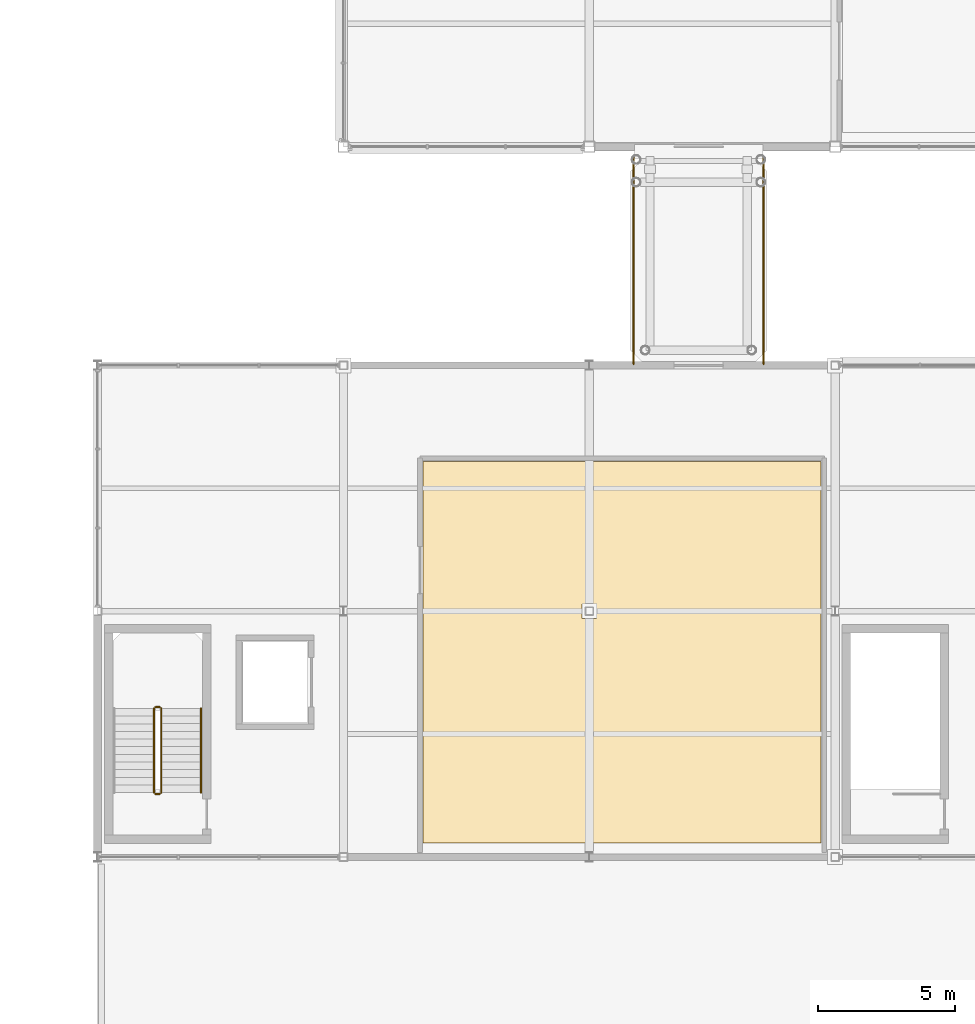
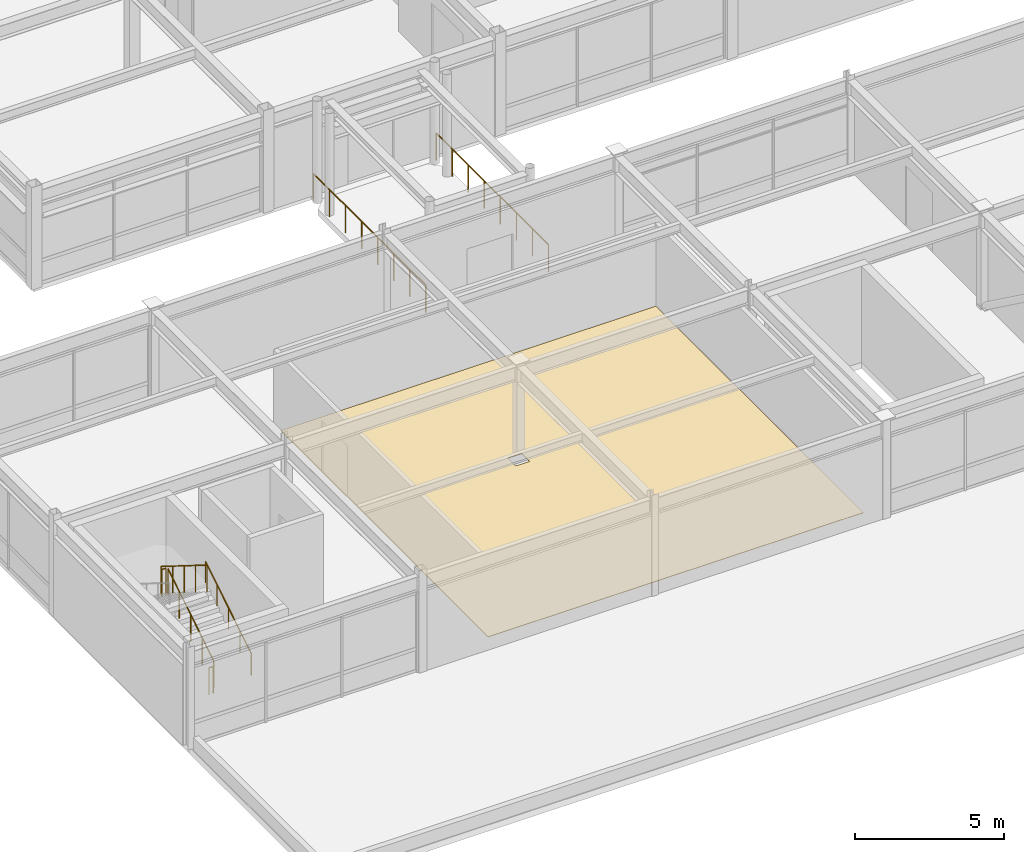
# One storey, part 65 of 70: 7 railings, 1 covering.
"""IFC4 building model written with IfcOpenShell, lengths in metres."""

from ifc_helpers import new_model, si_unit, direction, frame, origin, origin_2d, place, context, subcontext, project, spatial, polyline, circle, outline, extrude, material, layer, layer_set, type_object, element, save


model = new_model("IFC4")

# Units and contexts
model_context = context("Model", 3, precision=1e-05, world=origin(), true_north=direction((0.0, 1.0)))
body_context = subcontext(model_context, "Body", "Model", "MODEL_VIEW")
ifc_project = project(units=[si_unit("LENGTHUNIT", "METRE"), si_unit("AREAUNIT", "SQUARE_METRE"), si_unit("VOLUMEUNIT", "CUBIC_METRE"), si_unit("PLANEANGLEUNIT", "RADIAN"), si_unit("MASSUNIT", "GRAM", prefix="KILO")], contexts=[model_context])

# Site, building, storey
site_placement = place(None, origin())
site = spatial("IfcSite", under=ifc_project, at=site_placement, CompositionType="ELEMENT")
building_placement = place(site_placement, origin())
building = spatial("IfcBuilding", under=site, at=building_placement, Name="Suzunagisa Mobility Hub", CompositionType="ELEMENT")
storey_placement = place(building_placement, frame((0.0, 0.0, 13.5)))
storey = spatial("IfcBuildingStorey", under=building, at=storey_placement, Name="L03", CompositionType="ELEMENT", Elevation=13.5)

# Railings
ifc_material_1 = material(Name="Stainless Steel SUS304", Category="metal")
railing_type_1 = type_object("IfcRailingType", Name="Interior Well Guardrail IGR-01", PredefinedType="GUARDRAIL", material=ifc_material_1)
railing_1_placement = place(storey_placement, frame((137.330078125, 20.360107421875, 0.175048828125)))
element("IfcRailing", 1, at=railing_1_placement, inside=storey, type_object=railing_type_1, Name="L03 ST-09 stair guard 1", PredefinedType="GUARDRAIL", context=body_context, shape_type="SweptSolid", body=[
    extrude(circle(Radius=0.02392578125, at=origin_2d()), frame((0.0, 0.0, 1.09619140625), z_axis=(0.0, 0.847979421464, 0.530029150871), x_axis=(-1.0, 0.0, 0.0)), (0.0, 0.0, 1.0), 3.632080078125),
    extrude(circle(Radius=0.02099609375, at=origin_2d()), origin(), (0.0, 0.0, 1.0), 1.072021484375),
    extrude(circle(Radius=0.02099609375, at=origin_2d()), frame((0.0, 0.77001953125, 0.481201171875)), (0.0, 0.0, 1.0), 1.072021484375),
    extrude(circle(Radius=0.02099609375, at=origin_2d()), frame((0.0, 1.5400390625, 0.96240234375)), (0.0, 0.0, 1.0), 1.072021484375),
    extrude(circle(Radius=0.02099609375, at=origin_2d()), frame((0.0, 2.309814453125, 1.44384765625)), (0.0, 0.0, 1.0), 1.072021484375),
    extrude(circle(Radius=0.02099609375, at=origin_2d()), frame((0.0, 3.079833984375, 1.925048828125)), (0.0, 0.0, 1.0), 1.072021484375),
])
railing_2_placement = place(storey_placement, frame((137.280029296875, 23.489990234375, 2.10009765625)))
element("IfcRailing", 2, at=railing_2_placement, inside=storey, type_object=railing_type_1, Name="L03 ST-09 stair guard 2", PredefinedType="GUARDRAIL", context=body_context, shape_type="SweptSolid", body=[
    extrude(circle(Radius=0.02392578125, at=origin_2d()), frame((0.0, 0.0, 1.09619140625), z_axis=(-1.0, 0.0, 0.0), x_axis=(0.0, -1.0, 0.0)), (0.0, 0.0, 1.0), 0.159912109375),
    extrude(circle(Radius=0.02099609375, at=origin_2d()), origin(), (0.0, 0.0, 1.0), 1.072021484375),
    extrude(circle(Radius=0.02099609375, at=origin_2d()), frame((-0.159912109375, 0.0, 0.0)), (0.0, 0.0, 1.0), 1.072021484375),
])
railing_3_placement = place(storey_placement, frame((137.070068359375, 23.43994140625, 2.27490234375)))
element("IfcRailing", 3, at=railing_3_placement, inside=storey, type_object=railing_type_1, Name="L03 ST-09 stair guard 3", PredefinedType="GUARDRAIL", context=body_context, shape_type="SweptSolid", body=[
    extrude(circle(Radius=0.02392578125, at=origin_2d()), frame((0.0, 0.0, 1.09619140625), z_axis=(0.0, -0.847979421464, 0.530029150871), x_axis=(1.0, 0.0, 0.0)), (0.0, 0.0, 1.0), 3.632080078125),
    extrude(circle(Radius=0.02099609375, at=origin_2d()), origin(), (0.0, 0.0, 1.0), 1.072021484375),
    extrude(circle(Radius=0.02099609375, at=origin_2d()), frame((0.0, -0.77001953125, 0.481201171875)), (0.0, 0.0, 1.0), 1.072021484375),
    extrude(circle(Radius=0.02099609375, at=origin_2d()), frame((0.0, -1.5400390625, 0.96240234375)), (0.0, 0.0, 1.0), 1.072021484375),
    extrude(circle(Radius=0.02099609375, at=origin_2d()), frame((0.0, -2.309814453125, 1.44384765625)), (0.0, 0.0, 1.0), 1.072021484375),
    extrude(circle(Radius=0.02099609375, at=origin_2d()), frame((0.0, -3.079833984375, 1.925048828125)), (0.0, 0.0, 1.0), 1.072021484375),
])
railing_4_placement = place(storey_placement, frame((137.280029296875, 20.31005859375, 0.0)))
element("IfcRailing", 4, at=railing_4_placement, inside=storey, type_object=railing_type_1, Name="L03 ST-09 stair guard 4", PredefinedType="GUARDRAIL", context=body_context, shape_type="SweptSolid", body=[
    extrude(circle(Radius=0.02392578125, at=origin_2d()), frame((0.0, 0.0, 1.09619140625), z_axis=(-1.0, 0.0, 0.0), x_axis=(0.0, -1.0, 0.0)), (0.0, 0.0, 1.0), 0.159912109375),
    extrude(circle(Radius=0.02099609375, at=origin_2d()), origin(), (0.0, 0.0, 1.0), 1.072021484375),
    extrude(circle(Radius=0.02099609375, at=origin_2d()), frame((-0.159912109375, 0.0, 0.0)), (0.0, 0.0, 1.0), 1.072021484375),
])

# Covering
ifc_material_2 = material(Name="Polished Aggregate Terrazzo Finish")
ifc_layer = layer(ifc_material_2, 0.02001953125)
ifc_layer_set = layer_set([ifc_layer], Name="Polished Aggregate Terrazzo Finish")
covering_type = type_object("IfcCoveringType", Name="Polished Terrazzo Heavy-Traffic Flooring FLR-01", PredefinedType="FLOORING", material=ifc_layer_set)
covering_placement = place(storey_placement, origin())
element("IfcCovering", 5, at=covering_placement, inside=storey, type_object=covering_type, Name="L03 Emergency Relief Logistics and Equipment Hall L03 Terrazzo Flooring", PredefinedType="FLOORING", context=body_context, shape_type="SweptSolid", body=[
    extrude(outline(polyline([(146.919921875, 32.47998046875), (161.47998046875, 32.47998046875), (161.47998046875, 18.52001953125), (146.919921875, 18.52001953125), (146.919921875, 32.47998046875)]), holes=[polyline([(153.27001953125, 27.27001953125), (152.72998046875, 27.27001953125), (152.72998046875, 26.72998046875), (153.27001953125, 26.72998046875), (153.27001953125, 27.27001953125)])]), origin(), (0.0, 0.0, 1.0), 0.02001953125),
])

# Railings
ifc_material_3 = material(Name="Anodized Aluminum and Stainless Steel SUS316", Category="metal")
railing_type_2 = type_object("IfcRailingType", Name="Streamline Ship-Deck Tubular Balustrade BL-01", PredefinedType="BALUSTRADE", material=ifc_material_3)
for number, where, name in (
    (6, (154.6201171875, 36.050048828125, 0.0), "L03 Bridge Edge Guardrail SB-05-67"),
    (7, (159.3798828125, 36.050048828125, 0.0), "L03 Bridge Edge Guardrail SB-05-68"),
):
    element("IfcRailing", number, at=place(storey_placement, frame(where)), inside=storey, type_object=railing_type_2, Name=name, PredefinedType="BALUSTRADE", context=body_context, shape_type="SweptSolid", body=[
        extrude(circle(Radius=0.02392578125, at=origin_2d()), frame((0.0, 0.0, 1.11572265625), z_axis=(0.0, 1.0, 0.0), x_axis=(-1.0, 0.0, 0.0)), (0.0, 0.0, 1.0), 7.550048828125),
        extrude(circle(Radius=0.02099609375, at=origin_2d()), origin(), (0.0, 0.0, 1.0), 1.091796875),
        extrude(circle(Radius=0.02099609375, at=origin_2d()), frame((0.0, 1.07861328125, 0.0)), (0.0, 0.0, 1.0), 1.091796875),
        extrude(circle(Radius=0.02099609375, at=origin_2d()), frame((0.0, 2.1572265625, 0.0)), (0.0, 0.0, 1.0), 1.091796875),
        extrude(circle(Radius=0.02099609375, at=origin_2d()), frame((0.0, 3.23583984375, 0.0)), (0.0, 0.0, 1.0), 1.091796875),
        extrude(circle(Radius=0.02099609375, at=origin_2d()), frame((0.0, 4.314208984375, 0.0)), (0.0, 0.0, 1.0), 1.091796875),
        extrude(circle(Radius=0.02099609375, at=origin_2d()), frame((0.0, 5.392822265625, 0.0)), (0.0, 0.0, 1.0), 1.091796875),
        extrude(circle(Radius=0.02099609375, at=origin_2d()), frame((0.0, 6.471435546875, 0.0)), (0.0, 0.0, 1.0), 1.091796875),
        extrude(circle(Radius=0.02099609375, at=origin_2d()), frame((0.0, 7.550048828125, 0.0)), (0.0, 0.0, 1.0), 1.091796875),
    ])
railing_type_3 = type_object("IfcRailingType", Name="Tubular Stainless Stair Handrail IHR-01", PredefinedType="HANDRAIL", material=ifc_material_1)
railing_5_placement = place(storey_placement, frame((138.7900390625, 20.360107421875, 0.175048828125)))
element("IfcRailing", 8, at=railing_5_placement, inside=storey, type_object=railing_type_3, Name="L03 ST-09 stair handrail 1", PredefinedType="HANDRAIL", context=body_context, shape_type="SweptSolid", body=[
    extrude(circle(Radius=0.02392578125, at=origin_2d()), frame((0.0, 0.0, 0.8759765625), z_axis=(0.0, 0.847979421464, 0.530029150871), x_axis=(-1.0, 0.0, 0.0)), (0.0, 0.0, 1.0), 3.632080078125),
    extrude(circle(Radius=0.02099609375, at=origin_2d()), origin(), (0.0, 0.0, 1.0), 0.851806640625),
    extrude(circle(Radius=0.02099609375, at=origin_2d()), frame((0.0, 0.77001953125, 0.481201171875)), (0.0, 0.0, 1.0), 0.851806640625),
    extrude(circle(Radius=0.02099609375, at=origin_2d()), frame((0.0, 1.5400390625, 0.96240234375)), (0.0, 0.0, 1.0), 0.851806640625),
    extrude(circle(Radius=0.02099609375, at=origin_2d()), frame((0.0, 2.309814453125, 1.44384765625)), (0.0, 0.0, 1.0), 0.851806640625),
    extrude(circle(Radius=0.02099609375, at=origin_2d()), frame((0.0, 3.079833984375, 1.925048828125)), (0.0, 0.0, 1.0), 0.851806640625),
])

save(model, "model.ifc")
